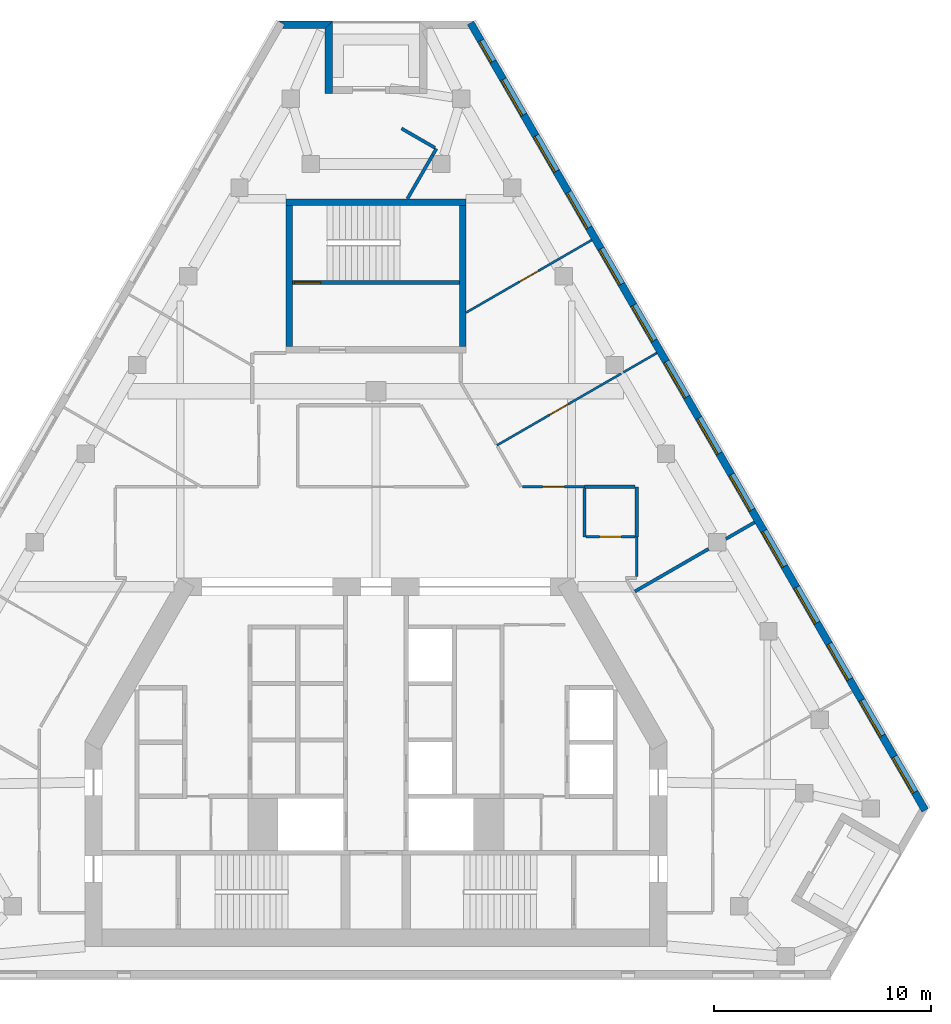
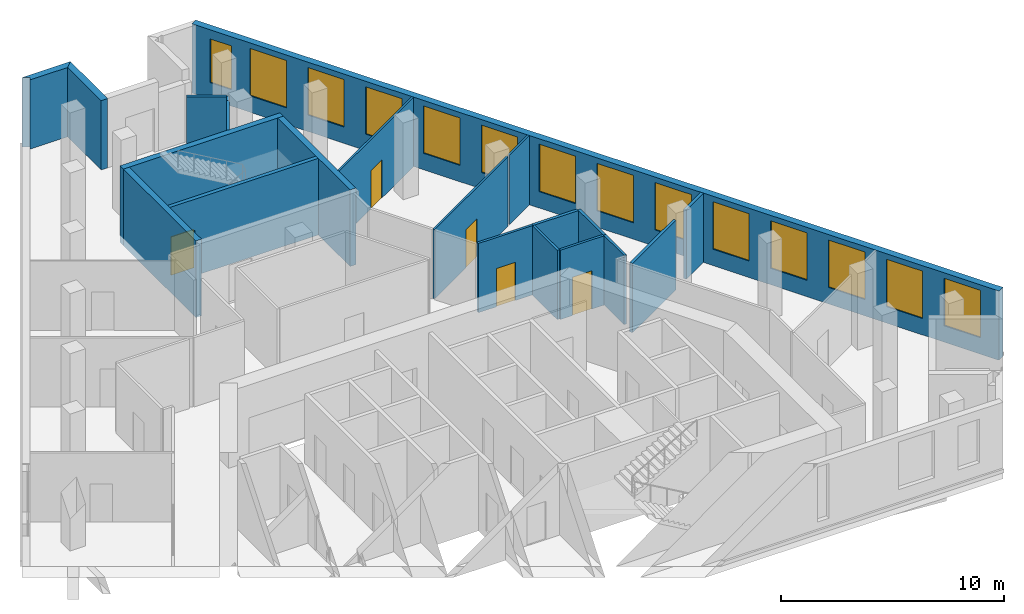
# One storey, part 6 of 9: 21 walls, 14 windows, 5 doors, 19 openings.
"""IFC4 building model written with IfcOpenShell, lengths in metres."""

from ifc_helpers import new_model, si_unit, direction, frame, frame_2d, origin, place, context, subcontext, project, spatial, polyline, rectangle, outline, extrude, material, layer, layer_set, type_object, element, fill, save


model = new_model("IFC4")

# Units and contexts
model_context = context("Model", 3, precision=1e-05, world=origin(), true_north=direction((0.0, 1.0)))
body_context = subcontext(model_context, "Body", "Model", "MODEL_VIEW")
ifc_project = project(units=[si_unit("LENGTHUNIT", "METRE"), si_unit("AREAUNIT", "SQUARE_METRE"), si_unit("VOLUMEUNIT", "CUBIC_METRE"), si_unit("PLANEANGLEUNIT", "RADIAN"), si_unit("MASSUNIT", "GRAM", prefix="KILO")], contexts=[model_context])

# Site, building, storey
site_placement = place(None, origin())
site = spatial("IfcSite", under=ifc_project, at=site_placement, CompositionType="ELEMENT")
building_placement = place(site_placement, origin())
building = spatial("IfcBuilding", under=site, at=building_placement, Name="Fogline Exchange Tower", CompositionType="ELEMENT")
storey_placement = place(building_placement, frame((0.0, 0.0, 283.5)))
storey = spatial("IfcBuildingStorey", under=building, at=storey_placement, Name="L64", CompositionType="ELEMENT", Elevation=283.5)

# Wall, opening, door
ifc_material_1 = material(Name="Concrete C40", Category="concrete")
ifc_layer_1 = layer(ifc_material_1, 0.199951171875)
ifc_layer_set_1 = layer_set([ifc_layer_1], Name="CW20R")
wall_type_1 = type_object("IfcWallType", Name="CW20R", PredefinedType="SOLIDWALL", material=ifc_layer_set_1)
wall_1_placement = place(storey_placement, frame((-3.85009765625, 32.007080078125, -0.39990234375), z_axis=(0.0, 0.0, 1.0), x_axis=(1.0, 0.0, 0.0)))
wall_1 = element("IfcWall", 1, at=wall_1_placement, inside=storey, type_object=wall_type_1, Name="Stair enclosure wall ST3", PredefinedType="SOLIDWALL", context=body_context, shape_type="SweptSolid", body=[
    extrude(rectangle(XDim=7.7001953125, YDim=0.199951171875, at=frame_2d((3.85009765625, 0.0))), origin(), (0.0, 0.0, 1.0), 4.199951171875),
])
opening_1_placement = place(wall_1_placement, frame((0.10009765625, 0.0, 0.39990234375)))
opening_1 = element("IfcOpeningElement", 2, at=opening_1_placement, cuts=wall_1, Name="Opening T20-C027", PredefinedType="OPENING", context=body_context, shape_type="SweptSolid", body=[
    extrude(rectangle(XDim=1.199951171875, YDim=2.10009765625, at=frame_2d((0.60009765625, 1.050048828125))), frame((0.0, 0.10986328125, 0.0), z_axis=(0.0, -1.0, 0.0), x_axis=(1.0, 0.0, 0.0)), (0.0, 0.0, 1.0), 0.219970703125),
])
ifc_material_2 = material(Name="Steel and timber fire door", Category="steel")
door_type_1 = type_object("IfcDoorType", Name="D-ST1", OperationType="SINGLE_SWING_LEFT", PredefinedType="DOOR", material=ifc_material_2)
door_1_placement = place(opening_1_placement, origin())
door_1 = element("IfcDoor", 3, at=door_1_placement, inside=storey, type_object=door_type_1, Name="Stair door ST3", OperationType="SINGLE_SWING_LEFT", OverallHeight=2.10009765625, OverallWidth=1.199951171875, PredefinedType="DOOR", context=body_context, shape_type="SweptSolid", body=[
    extrude(rectangle(XDim=1.199951171875, YDim=2.10009765625, at=frame_2d((0.60009765625, 1.050048828125))), frame((0.0, 0.02490234375, 0.0), z_axis=(0.0, -1.0, 0.0), x_axis=(1.0, 0.0, 0.0)), (0.0, 0.0, 1.0), 0.050048828125),
])
fill(opening_1, door_1)

# Walls
ifc_layer_2 = layer(ifc_material_1, 0.300048828125)
ifc_layer_set_2 = layer_set([ifc_layer_2], Name="CW30")
wall_type_2 = type_object("IfcWallType", Name="CW30", PredefinedType="SOLIDWALL", material=ifc_layer_set_2)
wall_2_placement = place(storey_placement, frame((-4.14990234375, 35.70703125, -0.39990234375), z_axis=(0.0, 0.0, 1.0), x_axis=(1.0, 0.0, 0.0)))
element("IfcWall", 4, at=wall_2_placement, inside=storey, type_object=wall_type_2, Name="Stair enclosure wall ST3", PredefinedType="SOLIDWALL", context=body_context, shape_type="SweptSolid", body=[
    extrude(rectangle(XDim=8.2998046875, YDim=0.300048828125, at=frame_2d((4.14990234375, 0.0))), origin(), (0.0, 0.0, 1.0), 4.199951171875),
])
for number, where, z_axis, x_axis, name in (
    (5, (-4.0, 29.056884765625, -0.39990234375), (0.0, 0.0, 1.0), (0.0, 1.0, 0.0), "Stair enclosure wall ST3"),
    (6, (4.0, 29.056884765625, -0.39990234375), (0.0, 0.0, 1.0), (0.0, 1.0, 0.0), "Stair enclosure wall ST3"),
):
    element("IfcWall", number, at=place(storey_placement, frame(where, z_axis=z_axis, x_axis=x_axis)), inside=storey, type_object=wall_type_2, Name=name, PredefinedType="SOLIDWALL", context=body_context, shape_type="SweptSolid", body=[
        extrude(rectangle(XDim=6.5, YDim=0.300048828125, at=frame_2d((3.25, 0.0))), origin(), (0.0, 0.0, 1.0), 4.199951171875),
    ])

# Wall, openings, windows
ifc_material_3 = material(Name="Brick masonry", Category="masonry")
ifc_layer_3 = layer(ifc_material_3, 0.340087890625)
ifc_layer_set_3 = layer_set([ifc_layer_3], Name="FW1")
wall_type_3 = type_object("IfcWallType", Name="FW1", PredefinedType="SOLIDWALL", material=ifc_layer_set_3)
wall_3_placement = place(storey_placement, frame((25.27734375, 7.709228515625, 0.0), z_axis=(0.0, 0.0, 1.0), x_axis=(-0.499999693239, 0.866025580893, 0.0)))
wall_3 = element("IfcWall", 7, at=wall_3_placement, inside=storey, type_object=wall_type_3, Name="Brick wall L64 E", PredefinedType="SOLIDWALL", context=body_context, shape_type="SweptSolid", body=[
    extrude(rectangle(XDim=41.84912109375, YDim=0.340087890625, at=frame_2d((20.924560546875, 0.0))), origin(), (0.0, 0.0, 1.0), 3.800048828125),
])
opening_2_placement = place(wall_3_placement, frame((0.96240234375, 0.0, 0.89990234375)))
opening_2 = element("IfcOpeningElement", 8, at=opening_2_placement, cuts=wall_3, Name="Opening W3", PredefinedType="OPENING", context=body_context, shape_type="SweptSolid", body=[
    extrude(rectangle(XDim=1.885009765625, YDim=2.60009765625, at=frame_2d((0.9423828125, 1.300048828125))), frame((0.0, 0.18017578125, 0.0), z_axis=(0.0, -1.0, 0.0), x_axis=(1.0, 0.0, 0.0)), (0.0, 0.0, 1.0), 0.360107421875),
])
opening_3_placement = place(wall_3_placement, frame((3.96240234375, 0.0, 0.89990234375)))
opening_3 = element("IfcOpeningElement", 9, at=opening_3_placement, cuts=wall_3, Name="Opening W3", PredefinedType="OPENING", context=body_context, shape_type="SweptSolid", body=[
    extrude(rectangle(XDim=1.885009765625, YDim=2.60009765625, at=frame_2d((0.9423828125, 1.300048828125))), frame((0.0, 0.18017578125, 0.0), z_axis=(0.0, -1.0, 0.0), x_axis=(1.0, 0.0, 0.0)), (0.0, 0.0, 1.0), 0.360107421875),
])
opening_4_placement = place(wall_3_placement, frame((6.96240234375, 0.0, 0.89990234375)))
opening_4 = element("IfcOpeningElement", 10, at=opening_4_placement, cuts=wall_3, Name="Opening W3", PredefinedType="OPENING", context=body_context, shape_type="SweptSolid", body=[
    extrude(rectangle(XDim=1.885009765625, YDim=2.60009765625, at=frame_2d((0.9423828125, 1.300048828125))), frame((0.0, 0.18017578125, 0.0), z_axis=(0.0, -1.0, 0.0), x_axis=(1.0, 0.0, 0.0)), (0.0, 0.0, 1.0), 0.360107421875),
])
opening_5_placement = place(wall_3_placement, frame((9.96240234375, 0.0, 0.89990234375)))
opening_5 = element("IfcOpeningElement", 11, at=opening_5_placement, cuts=wall_3, Name="Opening W3", PredefinedType="OPENING", context=body_context, shape_type="SweptSolid", body=[
    extrude(rectangle(XDim=1.885009765625, YDim=2.60009765625, at=frame_2d((0.9423828125, 1.300048828125))), frame((0.0, 0.18017578125, 0.0), z_axis=(0.0, -1.0, 0.0), x_axis=(1.0, 0.0, 0.0)), (0.0, 0.0, 1.0), 0.360107421875),
])
opening_6_placement = place(wall_3_placement, frame((12.96240234375, 0.0, 0.89990234375)))
opening_6 = element("IfcOpeningElement", 12, at=opening_6_placement, cuts=wall_3, Name="Opening W3", PredefinedType="OPENING", context=body_context, shape_type="SweptSolid", body=[
    extrude(rectangle(XDim=1.885009765625, YDim=2.60009765625, at=frame_2d((0.9423828125, 1.300048828125))), frame((0.0, 0.18017578125, 0.0), z_axis=(0.0, -1.0, 0.0), x_axis=(1.0, 0.0, 0.0)), (0.0, 0.0, 1.0), 0.360107421875),
])
opening_7_placement = place(wall_3_placement, frame((15.96240234375, 0.0, 0.89990234375)))
opening_7 = element("IfcOpeningElement", 13, at=opening_7_placement, cuts=wall_3, Name="Opening W3", PredefinedType="OPENING", context=body_context, shape_type="SweptSolid", body=[
    extrude(rectangle(XDim=1.885009765625, YDim=2.60009765625, at=frame_2d((0.9423828125, 1.300048828125))), frame((0.0, 0.18017578125, 0.0), z_axis=(0.0, -1.0, 0.0), x_axis=(1.0, 0.0, 0.0)), (0.0, 0.0, 1.0), 0.360107421875),
])
opening_8_placement = place(wall_3_placement, frame((18.96240234375, 0.0, 0.89990234375)))
opening_8 = element("IfcOpeningElement", 14, at=opening_8_placement, cuts=wall_3, Name="Opening W3", PredefinedType="OPENING", context=body_context, shape_type="SweptSolid", body=[
    extrude(rectangle(XDim=1.885009765625, YDim=2.60009765625, at=frame_2d((0.9423828125, 1.300048828125))), frame((0.0, 0.18017578125, 0.0), z_axis=(0.0, -1.0, 0.0), x_axis=(1.0, 0.0, 0.0)), (0.0, 0.0, 1.0), 0.360107421875),
])
opening_9_placement = place(wall_3_placement, frame((21.96240234375, 0.0, 0.89990234375)))
opening_9 = element("IfcOpeningElement", 15, at=opening_9_placement, cuts=wall_3, Name="Opening W3", PredefinedType="OPENING", context=body_context, shape_type="SweptSolid", body=[
    extrude(rectangle(XDim=1.885009765625, YDim=2.60009765625, at=frame_2d((0.9423828125, 1.300048828125))), frame((0.0, 0.18017578125, 0.0), z_axis=(0.0, -1.0, 0.0), x_axis=(1.0, 0.0, 0.0)), (0.0, 0.0, 1.0), 0.360107421875),
])
opening_10_placement = place(wall_3_placement, frame((24.96240234375, 0.0, 0.89990234375)))
opening_10 = element("IfcOpeningElement", 16, at=opening_10_placement, cuts=wall_3, Name="Opening W3", PredefinedType="OPENING", context=body_context, shape_type="SweptSolid", body=[
    extrude(rectangle(XDim=1.885009765625, YDim=2.60009765625, at=frame_2d((0.9423828125, 1.300048828125))), frame((0.0, 0.18017578125, 0.0), z_axis=(0.0, -1.0, 0.0), x_axis=(1.0, 0.0, 0.0)), (0.0, 0.0, 1.0), 0.360107421875),
])
opening_11_placement = place(wall_3_placement, frame((27.96240234375, 0.0, 0.89990234375)))
opening_11 = element("IfcOpeningElement", 17, at=opening_11_placement, cuts=wall_3, Name="Opening W3", PredefinedType="OPENING", context=body_context, shape_type="SweptSolid", body=[
    extrude(rectangle(XDim=1.885009765625, YDim=2.60009765625, at=frame_2d((0.9423828125, 1.300048828125))), frame((0.0, 0.18017578125, 0.0), z_axis=(0.0, -1.0, 0.0), x_axis=(1.0, 0.0, 0.0)), (0.0, 0.0, 1.0), 0.360107421875),
])
opening_12_placement = place(wall_3_placement, frame((30.96240234375, 0.0, 0.89990234375)))
opening_12 = element("IfcOpeningElement", 18, at=opening_12_placement, cuts=wall_3, Name="Opening W3", PredefinedType="OPENING", context=body_context, shape_type="SweptSolid", body=[
    extrude(rectangle(XDim=1.885009765625, YDim=2.60009765625, at=frame_2d((0.9423828125, 1.300048828125))), frame((0.0, 0.18017578125, 0.0), z_axis=(0.0, -1.0, 0.0), x_axis=(1.0, 0.0, 0.0)), (0.0, 0.0, 1.0), 0.360107421875),
])
opening_13_placement = place(wall_3_placement, frame((33.96240234375, 0.0, 0.89990234375)))
opening_13 = element("IfcOpeningElement", 19, at=opening_13_placement, cuts=wall_3, Name="Opening W3", PredefinedType="OPENING", context=body_context, shape_type="SweptSolid", body=[
    extrude(rectangle(XDim=1.885009765625, YDim=2.60009765625, at=frame_2d((0.9423828125, 1.300048828125))), frame((0.0, 0.18017578125, 0.0), z_axis=(0.0, -1.0, 0.0), x_axis=(1.0, 0.0, 0.0)), (0.0, 0.0, 1.0), 0.360107421875),
])
opening_14_placement = place(wall_3_placement, frame((36.96240234375, 0.0, 0.89990234375)))
opening_14 = element("IfcOpeningElement", 20, at=opening_14_placement, cuts=wall_3, Name="Opening W3", PredefinedType="OPENING", context=body_context, shape_type="SweptSolid", body=[
    extrude(rectangle(XDim=1.885009765625, YDim=2.60009765625, at=frame_2d((0.9423828125, 1.300048828125))), frame((0.0, 0.18017578125, 0.0), z_axis=(0.0, -1.0, 0.0), x_axis=(1.0, 0.0, 0.0)), (0.0, 0.0, 1.0), 0.360107421875),
])
opening_15_placement = place(wall_3_placement, frame((39.790771484375, 0.0, 0.89990234375)))
opening_15 = element("IfcOpeningElement", 21, at=opening_15_placement, cuts=wall_3, Name="Opening W4", PredefinedType="OPENING", context=body_context, shape_type="SweptSolid", body=[
    extrude(rectangle(XDim=1.114990234375, YDim=2.39990234375, at=frame_2d((0.5576171875, 1.199951171875))), frame((0.0, 0.18017578125, 0.0), z_axis=(0.0, -1.0, 0.0), x_axis=(1.0, 0.0, 0.0)), (0.0, 0.0, 1.0), 0.360107421875),
])
ifc_material_4 = material(Name="Aluminium and glass", Category="aluminium")
window_type_1 = type_object("IfcWindowType", Name="W3", PartitioningType="SINGLE_PANEL", PredefinedType="WINDOW", material=ifc_material_4)
window_1_placement = place(opening_2_placement, origin())
window_1 = element("IfcWindow", 22, at=window_1_placement, inside=storey, type_object=window_type_1, Name="W3 W3", OverallHeight=2.60009765625, OverallWidth=1.885009765625, PartitioningType="SINGLE_PANEL", PredefinedType="WINDOW", context=body_context, shape_type="SweptSolid", body=[
    extrude(rectangle(XDim=1.885009765625, YDim=2.60009765625, at=frame_2d((0.9423828125, 1.300048828125))), frame((0.0, 0.110107421875, 0.0), z_axis=(0.0, -1.0, 0.0), x_axis=(1.0, 0.0, 0.0)), (0.0, 0.0, 1.0), 0.06005859375),
])
fill(opening_2, window_1)
window_2_placement = place(opening_3_placement, origin())
window_2 = element("IfcWindow", 23, at=window_2_placement, inside=storey, type_object=window_type_1, Name="W3 W3", OverallHeight=2.60009765625, OverallWidth=1.885009765625, PartitioningType="SINGLE_PANEL", PredefinedType="WINDOW", context=body_context, shape_type="SweptSolid", body=[
    extrude(rectangle(XDim=1.885009765625, YDim=2.60009765625, at=frame_2d((0.9423828125, 1.300048828125))), frame((0.0, 0.110107421875, 0.0), z_axis=(0.0, -1.0, 0.0), x_axis=(1.0, 0.0, 0.0)), (0.0, 0.0, 1.0), 0.06005859375),
])
fill(opening_3, window_2)
window_3_placement = place(opening_4_placement, origin())
window_3 = element("IfcWindow", 24, at=window_3_placement, inside=storey, type_object=window_type_1, Name="W3 W3", OverallHeight=2.60009765625, OverallWidth=1.885009765625, PartitioningType="SINGLE_PANEL", PredefinedType="WINDOW", context=body_context, shape_type="SweptSolid", body=[
    extrude(rectangle(XDim=1.885009765625, YDim=2.60009765625, at=frame_2d((0.9423828125, 1.300048828125))), frame((0.0, 0.110107421875, 0.0), z_axis=(0.0, -1.0, 0.0), x_axis=(1.0, 0.0, 0.0)), (0.0, 0.0, 1.0), 0.06005859375),
])
fill(opening_4, window_3)
window_4_placement = place(opening_5_placement, origin())
window_4 = element("IfcWindow", 25, at=window_4_placement, inside=storey, type_object=window_type_1, Name="W3 W3", OverallHeight=2.60009765625, OverallWidth=1.885009765625, PartitioningType="SINGLE_PANEL", PredefinedType="WINDOW", context=body_context, shape_type="SweptSolid", body=[
    extrude(rectangle(XDim=1.885009765625, YDim=2.60009765625, at=frame_2d((0.9423828125, 1.300048828125))), frame((0.0, 0.110107421875, 0.0), z_axis=(0.0, -1.0, 0.0), x_axis=(1.0, 0.0, 0.0)), (0.0, 0.0, 1.0), 0.06005859375),
])
fill(opening_5, window_4)
window_5_placement = place(opening_6_placement, origin())
window_5 = element("IfcWindow", 26, at=window_5_placement, inside=storey, type_object=window_type_1, Name="W3 W3", OverallHeight=2.60009765625, OverallWidth=1.885009765625, PartitioningType="SINGLE_PANEL", PredefinedType="WINDOW", context=body_context, shape_type="SweptSolid", body=[
    extrude(rectangle(XDim=1.885009765625, YDim=2.60009765625, at=frame_2d((0.9423828125, 1.300048828125))), frame((0.0, 0.110107421875, 0.0), z_axis=(0.0, -1.0, 0.0), x_axis=(1.0, 0.0, 0.0)), (0.0, 0.0, 1.0), 0.06005859375),
])
fill(opening_6, window_5)
window_6_placement = place(opening_7_placement, origin())
window_6 = element("IfcWindow", 27, at=window_6_placement, inside=storey, type_object=window_type_1, Name="W3 W3", OverallHeight=2.60009765625, OverallWidth=1.885009765625, PartitioningType="SINGLE_PANEL", PredefinedType="WINDOW", context=body_context, shape_type="SweptSolid", body=[
    extrude(rectangle(XDim=1.885009765625, YDim=2.60009765625, at=frame_2d((0.9423828125, 1.300048828125))), frame((0.0, 0.110107421875, 0.0), z_axis=(0.0, -1.0, 0.0), x_axis=(1.0, 0.0, 0.0)), (0.0, 0.0, 1.0), 0.06005859375),
])
fill(opening_7, window_6)
window_7_placement = place(opening_8_placement, origin())
window_7 = element("IfcWindow", 28, at=window_7_placement, inside=storey, type_object=window_type_1, Name="W3 W3", OverallHeight=2.60009765625, OverallWidth=1.885009765625, PartitioningType="SINGLE_PANEL", PredefinedType="WINDOW", context=body_context, shape_type="SweptSolid", body=[
    extrude(rectangle(XDim=1.885009765625, YDim=2.60009765625, at=frame_2d((0.9423828125, 1.300048828125))), frame((0.0, 0.110107421875, 0.0), z_axis=(0.0, -1.0, 0.0), x_axis=(1.0, 0.0, 0.0)), (0.0, 0.0, 1.0), 0.06005859375),
])
fill(opening_8, window_7)
window_8_placement = place(opening_9_placement, origin())
window_8 = element("IfcWindow", 29, at=window_8_placement, inside=storey, type_object=window_type_1, Name="W3 W3", OverallHeight=2.60009765625, OverallWidth=1.885009765625, PartitioningType="SINGLE_PANEL", PredefinedType="WINDOW", context=body_context, shape_type="SweptSolid", body=[
    extrude(rectangle(XDim=1.885009765625, YDim=2.60009765625, at=frame_2d((0.9423828125, 1.300048828125))), frame((0.0, 0.110107421875, 0.0), z_axis=(0.0, -1.0, 0.0), x_axis=(1.0, 0.0, 0.0)), (0.0, 0.0, 1.0), 0.06005859375),
])
fill(opening_9, window_8)
window_9_placement = place(opening_10_placement, origin())
window_9 = element("IfcWindow", 30, at=window_9_placement, inside=storey, type_object=window_type_1, Name="W3 W3", OverallHeight=2.60009765625, OverallWidth=1.885009765625, PartitioningType="SINGLE_PANEL", PredefinedType="WINDOW", context=body_context, shape_type="SweptSolid", body=[
    extrude(rectangle(XDim=1.885009765625, YDim=2.60009765625, at=frame_2d((0.9423828125, 1.300048828125))), frame((0.0, 0.110107421875, 0.0), z_axis=(0.0, -1.0, 0.0), x_axis=(1.0, 0.0, 0.0)), (0.0, 0.0, 1.0), 0.06005859375),
])
fill(opening_10, window_9)
window_10_placement = place(opening_11_placement, origin())
window_10 = element("IfcWindow", 31, at=window_10_placement, inside=storey, type_object=window_type_1, Name="W3 W3", OverallHeight=2.60009765625, OverallWidth=1.885009765625, PartitioningType="SINGLE_PANEL", PredefinedType="WINDOW", context=body_context, shape_type="SweptSolid", body=[
    extrude(rectangle(XDim=1.885009765625, YDim=2.60009765625, at=frame_2d((0.9423828125, 1.300048828125))), frame((0.0, 0.110107421875, 0.0), z_axis=(0.0, -1.0, 0.0), x_axis=(1.0, 0.0, 0.0)), (0.0, 0.0, 1.0), 0.06005859375),
])
fill(opening_11, window_10)
window_11_placement = place(opening_12_placement, origin())
window_11 = element("IfcWindow", 32, at=window_11_placement, inside=storey, type_object=window_type_1, Name="W3 W3", OverallHeight=2.60009765625, OverallWidth=1.885009765625, PartitioningType="SINGLE_PANEL", PredefinedType="WINDOW", context=body_context, shape_type="SweptSolid", body=[
    extrude(rectangle(XDim=1.885009765625, YDim=2.60009765625, at=frame_2d((0.9423828125, 1.300048828125))), frame((0.0, 0.110107421875, 0.0), z_axis=(0.0, -1.0, 0.0), x_axis=(1.0, 0.0, 0.0)), (0.0, 0.0, 1.0), 0.06005859375),
])
fill(opening_12, window_11)
window_12_placement = place(opening_13_placement, origin())
window_12 = element("IfcWindow", 33, at=window_12_placement, inside=storey, type_object=window_type_1, Name="W3 W3", OverallHeight=2.60009765625, OverallWidth=1.885009765625, PartitioningType="SINGLE_PANEL", PredefinedType="WINDOW", context=body_context, shape_type="SweptSolid", body=[
    extrude(rectangle(XDim=1.885009765625, YDim=2.60009765625, at=frame_2d((0.9423828125, 1.300048828125))), frame((0.0, 0.110107421875, 0.0), z_axis=(0.0, -1.0, 0.0), x_axis=(1.0, 0.0, 0.0)), (0.0, 0.0, 1.0), 0.06005859375),
])
fill(opening_13, window_12)
window_13_placement = place(opening_14_placement, origin())
window_13 = element("IfcWindow", 34, at=window_13_placement, inside=storey, type_object=window_type_1, Name="W3 W3", OverallHeight=2.60009765625, OverallWidth=1.885009765625, PartitioningType="SINGLE_PANEL", PredefinedType="WINDOW", context=body_context, shape_type="SweptSolid", body=[
    extrude(rectangle(XDim=1.885009765625, YDim=2.60009765625, at=frame_2d((0.9423828125, 1.300048828125))), frame((0.0, 0.110107421875, 0.0), z_axis=(0.0, -1.0, 0.0), x_axis=(1.0, 0.0, 0.0)), (0.0, 0.0, 1.0), 0.06005859375),
])
fill(opening_14, window_13)
window_type_2 = type_object("IfcWindowType", Name="W4", PartitioningType="SINGLE_PANEL", PredefinedType="WINDOW", material=ifc_material_4)
window_14_placement = place(opening_15_placement, origin())
window_14 = element("IfcWindow", 35, at=window_14_placement, inside=storey, type_object=window_type_2, Name="W4 W4", OverallHeight=2.39990234375, OverallWidth=1.114990234375, PartitioningType="SINGLE_PANEL", PredefinedType="WINDOW", context=body_context, shape_type="SweptSolid", body=[
    extrude(rectangle(XDim=1.114990234375, YDim=2.39990234375, at=frame_2d((0.5576171875, 1.199951171875))), frame((0.0, 0.110107421875, 0.0), z_axis=(0.0, -1.0, 0.0), x_axis=(1.0, 0.0, 0.0)), (0.0, 0.0, 1.0), 0.06005859375),
])
fill(opening_15, window_14)

# Walls
wall_4_placement = place(storey_placement, origin())
element("IfcWall", 36, at=wall_4_placement, inside=storey, type_object=wall_type_3, Name="Brick wall L64 N-s2", PredefinedType="SOLIDWALL", context=body_context, shape_type="SweptSolid", body=[
    extrude(outline(polyline([(-1.99951171875, 44.03759765625), (-1.99951171875, 40.696044921875), (-2.340576171875, 40.696044921875), (-2.340576171875, 43.697021484375), (-1.999755859375, 44.037841796875), (-1.99951171875, 44.03759765625)])), origin(), (0.0, 0.0, 1.0), 3.800048828125),
])
wall_5_placement = place(storey_placement, origin())
element("IfcWall", 37, at=wall_5_placement, inside=storey, type_object=wall_type_3, Name="Brick wall L64 N-c2", PredefinedType="SOLIDWALL", context=body_context, shape_type="SweptSolid", body=[
    extrude(outline(polyline([(-4.3046875, 43.696044921875), (-4.206298828125, 43.866455078125), (-4.501220703125, 44.03662109375), (-4.5009765625, 44.037353515625), (-1.9990234375, 44.037353515625), (-1.998779296875, 44.036865234375), (-2.33984375, 43.696044921875), (-4.3046875, 43.696044921875)])), origin(), (0.0, 0.0, 1.0), 3.800048828125),
])

# Wall, opening, door
ifc_material_5 = material(Name="Plasterboard partition, 2 layers each side on steel studs", Category="steel")
ifc_layer_4 = layer(ifc_material_5, 0.10009765625)
ifc_layer_set_4 = layer_set([ifc_layer_4], Name="PW1")
wall_type_4 = type_object("IfcWallType", Name="PW1", PredefinedType="PARTITIONING", material=ifc_layer_set_4)
wall_6_placement = place(storey_placement, frame((5.56640625, 24.509521484375, 0.0), z_axis=(0.0, 0.0, 1.0), x_axis=(0.866046324637, 0.49996376227, 0.0)))
wall_6 = element("IfcWall", 38, at=wall_6_placement, inside=storey, type_object=wall_type_4, Name="wall-L64-W033", PredefinedType="PARTITIONING", context=body_context, shape_type="SweptSolid", body=[
    extrude(rectangle(XDim=6.59765625, YDim=0.10009765625, at=frame_2d((3.298828125, 0.0))), origin(), (0.0, 0.0, 1.0), 3.800048828125),
])
opening_16_placement = place(wall_6_placement, frame((2.798828125, 0.0, 0.0)))
opening_16 = element("IfcOpeningElement", 39, at=opening_16_placement, cuts=wall_6, Name="Opening T20-D011", PredefinedType="OPENING", context=body_context, shape_type="SweptSolid", body=[
    extrude(rectangle(XDim=1.0, YDim=2.10009765625, at=frame_2d((0.5, 1.050048828125))), frame((0.0, 0.06005859375, 0.0), z_axis=(0.0, -1.0, 0.0), x_axis=(1.0, 0.0, 0.0)), (0.0, 0.0, 1.0), 0.1201171875),
])
ifc_material_6 = material(Name="Timber door leaf with steel frame", Category="steel")
door_type_2 = type_object("IfcDoorType", Name="D1", OperationType="SINGLE_SWING_LEFT", PredefinedType="DOOR", material=ifc_material_6)
door_2_placement = place(opening_16_placement, origin())
door_2 = element("IfcDoor", 40, at=door_2_placement, inside=storey, type_object=door_type_2, Name="door-L64-D011", OperationType="SINGLE_SWING_LEFT", OverallHeight=2.10009765625, OverallWidth=1.0, PredefinedType="DOOR", context=body_context, shape_type="SweptSolid", body=[
    extrude(rectangle(XDim=1.0, YDim=2.10009765625, at=frame_2d((0.5, 1.050048828125))), frame((0.0, 0.02490234375, 0.0), z_axis=(0.0, -1.0, 0.0), x_axis=(1.0, 0.0, 0.0)), (0.0, 0.0, 1.0), 0.050048828125),
])
fill(opening_16, door_2)

# Wall
wall_7_placement = place(storey_placement, frame((11.394287109375, 27.8740234375, 0.0), z_axis=(0.0, 0.0, 1.0), x_axis=(0.86598582165, 0.500068552002, 0.0)))
element("IfcWall", 41, at=wall_7_placement, inside=storey, type_object=wall_type_4, Name="wall-L64-W034", PredefinedType="PARTITIONING", context=body_context, shape_type="SweptSolid", body=[
    extrude(rectangle(XDim=1.770751953125, YDim=0.10009765625, at=frame_2d((0.88525390625, 0.0))), origin(), (0.0, 0.0, 1.0), 3.800048828125),
])

# Wall, opening, door
wall_8_placement = place(storey_placement, frame((4.14990234375, 30.619873046875, 0.0), z_axis=(0.0, 0.0, 1.0), x_axis=(0.866034458985, 0.499984315605, 0.0)))
wall_8 = element("IfcWall", 42, at=wall_8_placement, inside=storey, type_object=wall_type_4, Name="wall-L64-W037", PredefinedType="PARTITIONING", context=body_context, shape_type="SweptSolid", body=[
    extrude(rectangle(XDim=6.671630859375, YDim=0.10009765625, at=frame_2d((3.3359375, 0.0))), origin(), (0.0, 0.0, 1.0), 3.800048828125),
])
opening_17_placement = place(wall_8_placement, frame((2.835693359375, 0.0, 0.0)))
opening_17 = element("IfcOpeningElement", 43, at=opening_17_placement, cuts=wall_8, Name="Opening T20-D012", PredefinedType="OPENING", context=body_context, shape_type="SweptSolid", body=[
    extrude(rectangle(XDim=1.0, YDim=2.10009765625, at=frame_2d((0.5, 1.050048828125))), frame((0.0, 0.06005859375, 0.0), z_axis=(0.0, -1.0, 0.0), x_axis=(1.0, 0.0, 0.0)), (0.0, 0.0, 1.0), 0.1201171875),
])
door_3_placement = place(opening_17_placement, frame((1.0, 0.0, 0.0), z_axis=(0.0, 0.0, 1.0), x_axis=(-1.0, 0.0, 0.0)))
door_3 = element("IfcDoor", 44, at=door_3_placement, inside=storey, type_object=door_type_2, Name="door-L64-D012", OperationType="SINGLE_SWING_RIGHT", OverallHeight=2.10009765625, OverallWidth=1.0, PredefinedType="DOOR", context=body_context, shape_type="SweptSolid", body=[
    extrude(rectangle(XDim=1.0, YDim=2.10009765625, at=frame_2d((0.5, 1.050048828125))), frame((0.0, 0.02490234375, 0.0), z_axis=(0.0, -1.0, 0.0), x_axis=(1.0, 0.0, 0.0)), (0.0, 0.0, 1.0), 0.050048828125),
])
fill(opening_17, door_3)

# Wall
ifc_material_7 = material(Name="Plasterboard corridor partition with mineral wool, 2 layers each side")
ifc_layer_5 = layer(ifc_material_7, 0.125)
ifc_layer_set_5 = layer_set([ifc_layer_5], Name="PW2")
wall_type_5 = type_object("IfcWallType", Name="PW2", PredefinedType="PARTITIONING", material=ifc_layer_set_5)
wall_9_placement = place(storey_placement, frame((9.60009765625, 22.5244140625, 0.0), z_axis=(0.0, 0.0, 1.0), x_axis=(0.0, -1.0, 0.0)))
element("IfcWall", 45, at=wall_9_placement, inside=storey, type_object=wall_type_5, Name="wall-L64-W006", PredefinedType="PARTITIONING", context=body_context, shape_type="SweptSolid", body=[
    extrude(rectangle(XDim=2.224365234375, YDim=0.125, at=frame_2d((1.1123046875, 0.0))), origin(), (0.0, 0.0, 1.0), 3.800048828125),
])

# Wall, opening, door
wall_10_placement = place(storey_placement, frame((9.66259765625, 20.300048828125, 0.0), z_axis=(0.0, 0.0, 1.0), x_axis=(1.0, 0.0, 0.0)))
wall_10 = element("IfcWall", 46, at=wall_10_placement, inside=storey, type_object=wall_type_5, Name="wall-L64-W007", PredefinedType="PARTITIONING", context=body_context, shape_type="SweptSolid", body=[
    extrude(rectangle(XDim=2.262451171875, YDim=0.125, at=frame_2d((1.13134765625, 0.0))), origin(), (0.0, 0.0, 1.0), 3.800048828125),
])
opening_18_placement = place(wall_10_placement, frame((0.63134765625, 0.0, 0.0)))
opening_18 = element("IfcOpeningElement", 47, at=opening_18_placement, cuts=wall_10, Name="Opening T20-D003", PredefinedType="OPENING", context=body_context, shape_type="SweptSolid", body=[
    extrude(rectangle(XDim=1.0, YDim=2.10009765625, at=frame_2d((0.5, 1.050048828125))), frame((0.0, 0.072509765625, 0.0), z_axis=(0.0, -1.0, 0.0), x_axis=(1.0, 0.0, 0.0)), (0.0, 0.0, 1.0), 0.14501953125),
])
ifc_material_8 = material(Name="Fire-rated timber door leaf with steel frame", Category="steel")
door_type_3 = type_object("IfcDoorType", Name="D3", OperationType="SINGLE_SWING_LEFT", PredefinedType="DOOR", material=ifc_material_8)
door_4_placement = place(opening_18_placement, origin())
door_4 = element("IfcDoor", 48, at=door_4_placement, inside=storey, type_object=door_type_3, Name="door-L64-D003", OperationType="SINGLE_SWING_LEFT", OverallHeight=2.10009765625, OverallWidth=1.0, PredefinedType="DOOR", context=body_context, shape_type="SweptSolid", body=[
    extrude(rectangle(XDim=1.0, YDim=2.10009765625, at=frame_2d((0.5, 1.050048828125))), frame((0.0, 0.02490234375, 0.0), z_axis=(0.0, -1.0, 0.0), x_axis=(1.0, 0.0, 0.0)), (0.0, 0.0, 1.0), 0.050048828125),
])
fill(opening_18, door_4)

wall_11_placement = place(storey_placement, frame((6.7412109375, 22.60009765625, 0.0), z_axis=(0.0, 0.0, 1.0), x_axis=(1.0, 0.0, 0.0)))
wall_11 = element("IfcWall", 49, at=wall_11_placement, inside=storey, type_object=wall_type_5, Name="wall-L64-W008", PredefinedType="PARTITIONING", context=body_context, shape_type="SweptSolid", body=[
    extrude(rectangle(XDim=2.85888671875, YDim=0.125, at=frame_2d((1.429443359375, 0.0))), origin(), (0.0, 0.0, 1.0), 3.800048828125),
])
opening_19_placement = place(wall_11_placement, frame((0.929443359375, 0.0, 0.0)))
opening_19 = element("IfcOpeningElement", 50, at=opening_19_placement, cuts=wall_11, Name="Opening T20-D004", PredefinedType="OPENING", context=body_context, shape_type="SweptSolid", body=[
    extrude(rectangle(XDim=1.0, YDim=2.10009765625, at=frame_2d((0.5, 1.050048828125))), frame((0.0, 0.072509765625, 0.0), z_axis=(0.0, -1.0, 0.0), x_axis=(1.0, 0.0, 0.0)), (0.0, 0.0, 1.0), 0.14501953125),
])
door_5_placement = place(opening_19_placement, origin())
door_5 = element("IfcDoor", 51, at=door_5_placement, inside=storey, type_object=door_type_3, Name="door-L64-D004", OperationType="SINGLE_SWING_LEFT", OverallHeight=2.10009765625, OverallWidth=1.0, PredefinedType="DOOR", context=body_context, shape_type="SweptSolid", body=[
    extrude(rectangle(XDim=1.0, YDim=2.10009765625, at=frame_2d((0.5, 1.050048828125))), frame((0.0, 0.02490234375, 0.0), z_axis=(0.0, -1.0, 0.0), x_axis=(1.0, 0.0, 0.0)), (0.0, 0.0, 1.0), 0.050048828125),
])
fill(opening_19, door_5)

# Walls
wall_12_placement = place(storey_placement, frame((12.0, 20.300048828125, 0.0), z_axis=(0.0, 0.0, 1.0), x_axis=(0.0, -1.0, 0.0)))
element("IfcWall", 52, at=wall_12_placement, inside=storey, type_object=wall_type_5, Name="wall-L64-W009", PredefinedType="PARTITIONING", context=body_context, shape_type="SweptSolid", body=[
    extrude(rectangle(XDim=1.837646484375, YDim=0.125, at=frame_2d((0.9189453125, 0.0))), origin(), (0.0, 0.0, 1.0), 3.800048828125),
])
ifc_material_9 = material(Name="Plasterboard demising partition with mineral wool and acoustic board")
ifc_layer_6 = layer(ifc_material_9, 0.14990234375)
ifc_layer_set_6 = layer_set([ifc_layer_6], Name="PW3")
wall_type_6 = type_object("IfcWallType", Name="PW3", PredefinedType="PARTITIONING", material=ifc_layer_set_6)
wall_13_placement = place(storey_placement, frame((9.60009765625, 22.60009765625, 0.0), z_axis=(0.0, 0.0, 1.0), x_axis=(1.0, 0.0, 0.0)))
element("IfcWall", 53, at=wall_13_placement, inside=storey, type_object=wall_type_6, Name="wall-L64-W031", PredefinedType="PARTITIONING", context=body_context, shape_type="SweptSolid", body=[
    extrude(rectangle(XDim=2.324951171875, YDim=0.14990234375, at=frame_2d((1.16259765625, 0.0))), origin(), (0.0, 0.0, 1.0), 3.800048828125),
])
wall_14_placement = place(storey_placement, frame((12.0, 22.60009765625, 0.0), z_axis=(0.0, 0.0, 1.0), x_axis=(0.0, -1.0, 0.0)))
element("IfcWall", 54, at=wall_14_placement, inside=storey, type_object=wall_type_6, Name="wall-L64-W032", PredefinedType="PARTITIONING", context=body_context, shape_type="SweptSolid", body=[
    extrude(rectangle(XDim=2.300048828125, YDim=0.14990234375, at=frame_2d((1.14990234375, 0.0))), origin(), (0.0, 0.0, 1.0), 3.800048828125),
])
wall_15_placement = place(storey_placement, frame((17.427734375, 20.965087890625, 0.0), z_axis=(0.0, 0.0, 1.0), x_axis=(-0.866054796986, -0.499949086026, 0.0)))
element("IfcWall", 55, at=wall_15_placement, inside=storey, type_object=wall_type_6, Name="wall-L64-W035", PredefinedType="PARTITIONING", context=body_context, shape_type="SweptSolid", body=[
    extrude(rectangle(XDim=1.523193359375, YDim=0.14990234375, at=frame_2d((0.76171875, 0.0))), origin(), (0.0, 0.0, 1.0), 3.800048828125),
])
wall_16_placement = place(storey_placement, frame((15.30859375, 19.74169921875, 0.0), z_axis=(0.0, 0.0, 1.0), x_axis=(-0.866047486323, -0.49996174997, 0.0)))
element("IfcWall", 56, at=wall_16_placement, inside=storey, type_object=wall_type_6, Name="wall-L64-W036", PredefinedType="PARTITIONING", context=body_context, shape_type="SweptSolid", body=[
    extrude(rectangle(XDim=3.915283203125, YDim=0.14990234375, at=frame_2d((1.95751953125, 0.0))), origin(), (0.0, 0.0, 1.0), 3.800048828125),
])
wall_17_placement = place(storey_placement, frame((1.447021484375, 35.85693359375, 0.0), z_axis=(0.0, 0.0, 1.0), x_axis=(0.499975978711, 0.866039272038, 0.0)))
element("IfcWall", 57, at=wall_17_placement, inside=storey, type_object=wall_type_6, Name="wall-L64-W038", PredefinedType="PARTITIONING", context=body_context, shape_type="SweptSolid", body=[
    extrude(rectangle(XDim=2.30615234375, YDim=0.14990234375, at=frame_2d((1.153076171875, 0.0))), origin(), (0.0, 0.0, 1.0), 3.800048828125),
])
wall_18_placement = place(storey_placement, frame((2.601318359375, 37.856689453125, 0.0), z_axis=(0.0, 0.0, 1.0), x_axis=(0.500686671156, 0.865628590867, 0.0)))
element("IfcWall", 58, at=wall_18_placement, inside=storey, type_object=wall_type_6, Name="wall-L64-W039", PredefinedType="PARTITIONING", context=body_context, shape_type="SweptSolid", body=[
    extrude(rectangle(XDim=0.35791015625, YDim=0.14990234375, at=frame_2d((0.178955078125, 0.0))), origin(), (0.0, 0.0, 1.0), 3.800048828125),
])
wall_19_placement = place(storey_placement, frame((2.71533203125, 38.2041015625, 0.0), z_axis=(0.0, 0.0, 1.0), x_axis=(-0.866030169931, 0.4999917447, 0.0)))
element("IfcWall", 59, at=wall_19_placement, inside=storey, type_object=wall_type_6, Name="wall-L64-W040", PredefinedType="PARTITIONING", context=body_context, shape_type="SweptSolid", body=[
    extrude(rectangle(XDim=1.77880859375, YDim=0.14990234375, at=frame_2d((0.889404296875, 0.0))), origin(), (0.0, 0.0, 1.0), 3.800048828125),
])

save(model, "model.ifc")
